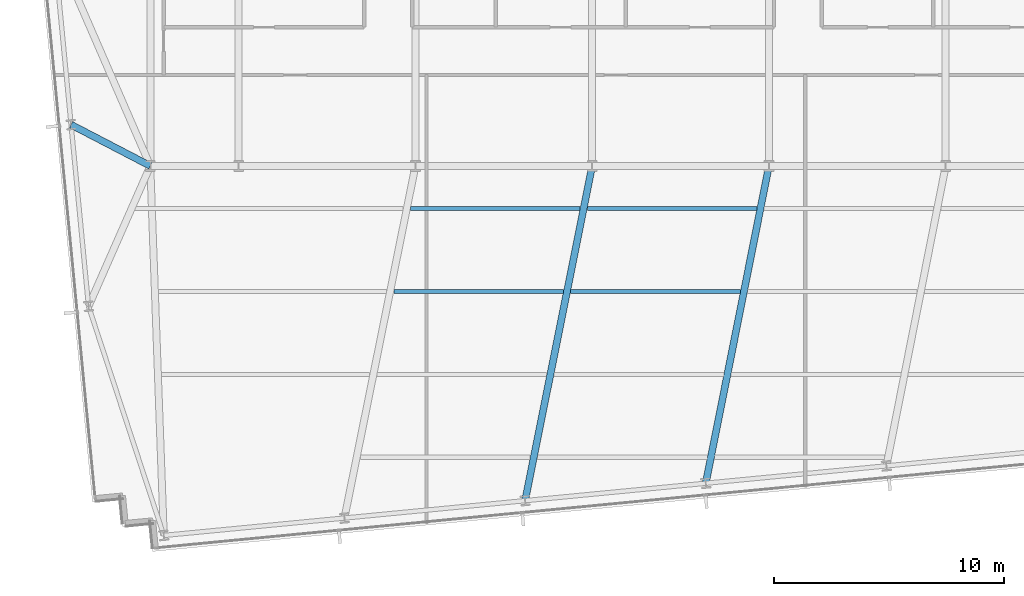
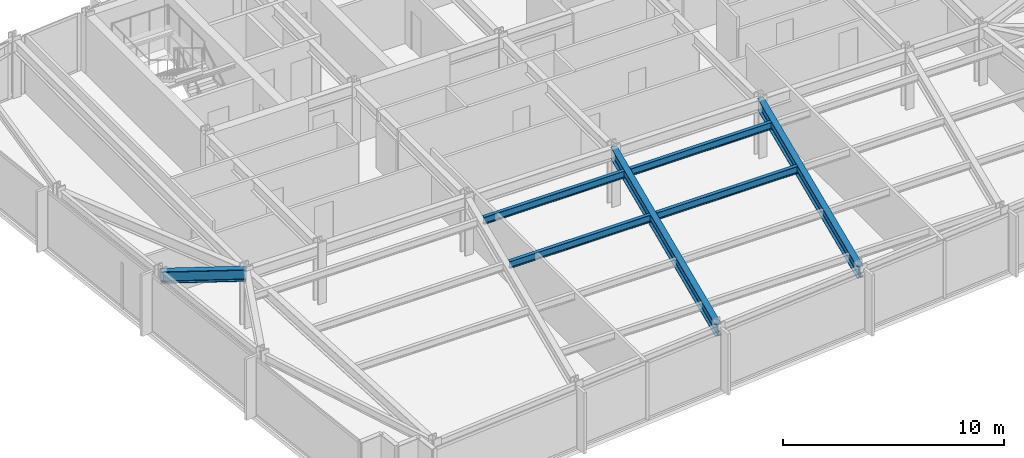
# One storey, part 5 of 32: 7 beams.
"""IFC4 building model written with IfcOpenShell, lengths in metres."""

from ifc_helpers import new_model, si_unit, direction, frame, origin, origin_2d, place, context, subcontext, project, spatial, i_section, extrude, material, material_profile, profile_set, type_object, element, save


model = new_model("IFC4")

# Units and contexts
model_context = context("Model", 3, precision=1e-05, world=origin(), true_north=direction((0.0, 1.0)))
body_context = subcontext(model_context, "Body", "Model", "MODEL_VIEW")
ifc_project = project(units=[si_unit("LENGTHUNIT", "METRE"), si_unit("AREAUNIT", "SQUARE_METRE"), si_unit("VOLUMEUNIT", "CUBIC_METRE"), si_unit("PLANEANGLEUNIT", "RADIAN"), si_unit("MASSUNIT", "GRAM", prefix="KILO")], contexts=[model_context])

# Site, building, storey
site_placement = place(None, origin())
site = spatial("IfcSite", under=ifc_project, at=site_placement, CompositionType="ELEMENT")
building_placement = place(site_placement, origin())
building = spatial("IfcBuilding", under=site, at=building_placement, Name="Yelkora Congress Tower", CompositionType="ELEMENT")
storey_placement = place(building_placement, frame((0.0, 0.0, 116.89990234375)))
storey = spatial("IfcBuildingStorey", under=building, at=storey_placement, Name="L31", CompositionType="ELEMENT", Elevation=116.89990234375)

# Beams
ifc_material = material(Name="Steel S355J2", Category="steel")
ifc_material_profile_1 = material_profile(ifc_material, i_section(OverallWidth=0.300048828125, OverallDepth=0.64990234375, WebThickness=0.01611328125, FlangeThickness=0.031005859375, FilletRadius=0.027099609375, at=origin_2d()), Name="HEB 650")
ifc_profile_set_1 = profile_set([ifc_material_profile_1], Name="Steel S355J2")
beam_type_1 = type_object("IfcBeamType", Name="BM-GIRD-HEB650", PredefinedType="BEAM", material=ifc_profile_set_1)
beam_1_placement = place(storey_placement, frame((35.48486328125, 10.656005859375, 2.85498046875), z_axis=(0.196521264673, 0.980499562739, 0.0), x_axis=(-0.980499562739, 0.196521264673, 0.0)))
element("IfcBeam", 1, at=beam_1_placement, inside=storey, type_object=beam_type_1, Name="L31 Primary Frame Girder S03", PredefinedType="BEAM", context=body_context, shape_type="SweptSolid", body=[
    extrude(i_section(OverallWidth=0.300048828125, OverallDepth=0.64990234375, WebThickness=0.01611328125, FlangeThickness=0.031005859375, FilletRadius=0.027099609375, at=origin_2d()), origin(), (0.0, 0.0, 1.0), 14.833251953125),
])
beam_2_placement = place(storey_placement, frame((43.334228515625, 11.411865234375, 2.85498046875), z_axis=(0.195311238928, 0.980741311432, 0.0), x_axis=(-0.980741311432, 0.195311238928, 0.0)))
element("IfcBeam", 2, at=beam_2_placement, inside=storey, type_object=beam_type_1, Name="L31 Primary Frame Girder S04", PredefinedType="BEAM", context=body_context, shape_type="SweptSolid", body=[
    extrude(i_section(OverallWidth=0.300048828125, OverallDepth=0.64990234375, WebThickness=0.01611328125, FlangeThickness=0.031005859375, FilletRadius=0.027099609375, at=origin_2d()), origin(), (0.0, 0.0, 1.0), 14.058837890625),
])
beam_3_placement = place(storey_placement, frame((15.757080078125, 26.990478515625, 2.85498046875), z_axis=(0.887192078676, -0.461400276912, 0.0), x_axis=(0.461400276912, 0.887192078676, 0.0)))
element("IfcBeam", 3, at=beam_3_placement, inside=storey, type_object=beam_type_1, Name="L31 Primary Frame Girder W02", PredefinedType="BEAM", context=body_context, shape_type="SweptSolid", body=[
    extrude(i_section(OverallWidth=0.300048828125, OverallDepth=0.64990234375, WebThickness=0.01611328125, FlangeThickness=0.031005859375, FilletRadius=0.027099609375, at=origin_2d()), origin(), (0.0, 0.0, 1.0), 3.880615234375),
])
ifc_material_profile_2 = material_profile(ifc_material, i_section(OverallWidth=0.179931640625, OverallDepth=0.39990234375, WebThickness=0.008544921875, FlangeThickness=0.013427734375, FilletRadius=0.02099609375, at=origin_2d()), Name="IPE 400")
ifc_profile_set_2 = profile_set([ifc_material_profile_2], Name="Steel S355J2")
beam_type_2 = type_object("IfcBeamType", Name="BM-JOIST-IPE400", PredefinedType="JOIST", material=ifc_profile_set_2)
beam_4_placement = place(storey_placement, frame((29.780029296875, 19.744384765625, 2.97998046875), z_axis=(1.0, 0.0, 0.0), x_axis=(0.0, 1.0, 0.0)))
element("IfcBeam", 4, at=beam_4_placement, inside=storey, type_object=beam_type_2, Name="L31 Composite Floor Joist 12", PredefinedType="JOIST", context=body_context, shape_type="SweptSolid", body=[
    extrude(i_section(OverallWidth=0.179931640625, OverallDepth=0.39990234375, WebThickness=0.008544921875, FlangeThickness=0.013427734375, FilletRadius=0.02099609375, at=origin_2d()), origin(), (0.0, 0.0, 1.0), 7.366455078125),
])
beam_5_placement = place(storey_placement, frame((37.466552734375, 19.744384765625, 2.97998046875), z_axis=(1.0, 0.0, 0.0), x_axis=(0.0, 1.0, 0.0)))
element("IfcBeam", 5, at=beam_5_placement, inside=storey, type_object=beam_type_2, Name="L31 Composite Floor Joist 13", PredefinedType="JOIST", context=body_context, shape_type="SweptSolid", body=[
    extrude(i_section(OverallWidth=0.179931640625, OverallDepth=0.39990234375, WebThickness=0.008544921875, FlangeThickness=0.013427734375, FilletRadius=0.02099609375, at=origin_2d()), origin(), (0.0, 0.0, 1.0), 7.366943359375),
])
beam_6_placement = place(storey_placement, frame((30.505859375, 23.344482421875, 2.97998046875), z_axis=(1.0, 0.0, 0.0), x_axis=(0.0, 1.0, 0.0)))
element("IfcBeam", 6, at=beam_6_placement, inside=storey, type_object=beam_type_2, Name="L31 Composite Floor Joist 19", PredefinedType="JOIST", context=body_context, shape_type="SweptSolid", body=[
    extrude(i_section(OverallWidth=0.179931640625, OverallDepth=0.39990234375, WebThickness=0.008544921875, FlangeThickness=0.013427734375, FilletRadius=0.02099609375, at=origin_2d()), origin(), (0.0, 0.0, 1.0), 7.3623046875),
])
beam_7_placement = place(storey_placement, frame((38.18798828125, 23.344482421875, 2.97998046875), z_axis=(1.0, 0.0, 0.0), x_axis=(0.0, 1.0, 0.0)))
element("IfcBeam", 7, at=beam_7_placement, inside=storey, type_object=beam_type_2, Name="L31 Composite Floor Joist 20", PredefinedType="JOIST", context=body_context, shape_type="SweptSolid", body=[
    extrude(i_section(OverallWidth=0.179931640625, OverallDepth=0.39990234375, WebThickness=0.008544921875, FlangeThickness=0.013427734375, FilletRadius=0.02099609375, at=origin_2d()), origin(), (0.0, 0.0, 1.0), 7.362548828125),
])

save(model, "model.ifc")
